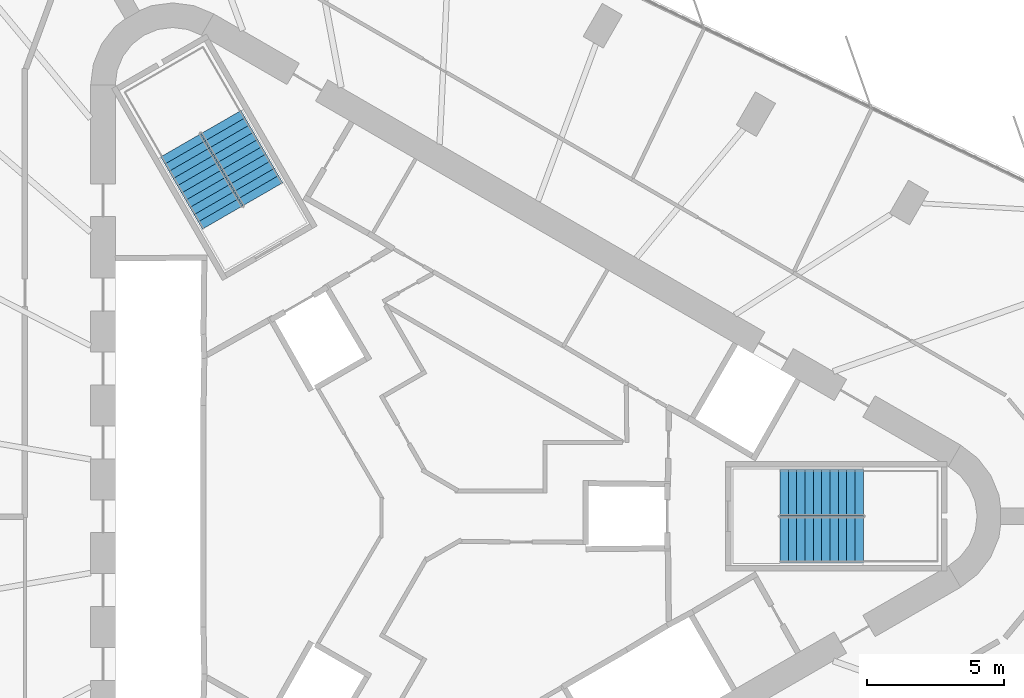
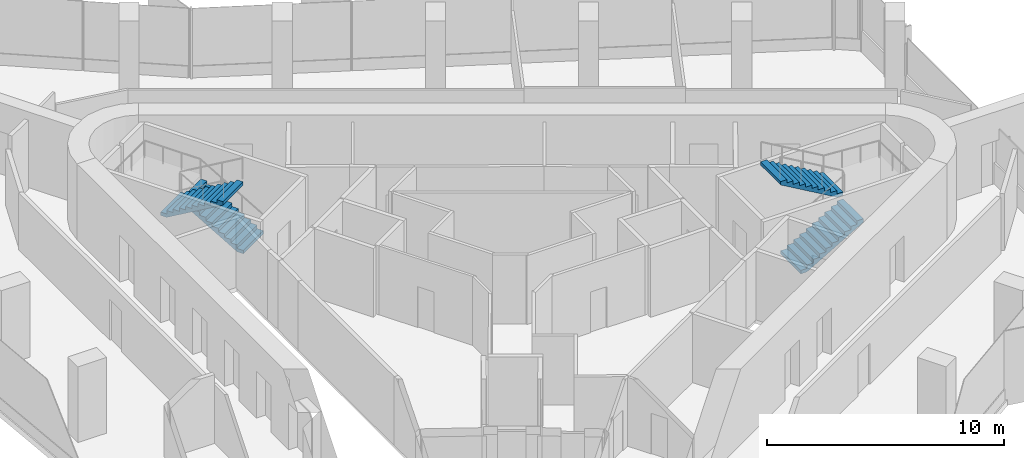
# One storey, part 11 of 12: 4 stair flights, 2 elements without a shape of their own.
"""IFC4 building model written with IfcOpenShell, lengths in metres."""

from ifc_helpers import new_model, si_unit, direction, frame, origin, place, context, subcontext, project, spatial, polyline, outline, extrude, material, type_object, element, aggregate, save


model = new_model("IFC4")

# Units and contexts
model_context = context("Model", 3, precision=1e-05, world=origin(), true_north=direction((0.0, 1.0)))
body_context = subcontext(model_context, "Body", "Model", "MODEL_VIEW")
ifc_project = project(units=[si_unit("LENGTHUNIT", "METRE"), si_unit("AREAUNIT", "SQUARE_METRE"), si_unit("VOLUMEUNIT", "CUBIC_METRE"), si_unit("PLANEANGLEUNIT", "RADIAN"), si_unit("MASSUNIT", "GRAM", prefix="KILO")], contexts=[model_context])

# Site, building, storey
site_placement = place(None, origin())
site = spatial("IfcSite", under=ifc_project, at=site_placement, CompositionType="ELEMENT")
building_placement = place(site_placement, origin())
building = spatial("IfcBuilding", under=site, at=building_placement, Name="Tanit Gate Tower", CompositionType="ELEMENT")
storey_placement = place(building_placement, frame((0.0, 0.0, 388.39990234375)))
storey = spatial("IfcBuildingStorey", under=building, at=storey_placement, Name="L89", CompositionType="ELEMENT", Elevation=388.39990234375)

# Stair, stair flights
ifc_material_1 = material(Name="Concrete C40/50", Category="concrete")
stair_type = type_object("IfcStairType", Name="INT-STAIR-EXIT", PredefinedType="HALF_TURN_STAIR", material=ifc_material_1)
stair_1_placement = place(storey_placement, origin())
stair_1 = element("IfcStair", 1, at=stair_1_placement, inside=storey, type_object=stair_type, Name="L89 STAIR S1", PredefinedType="HALF_TURN_STAIR")
ifc_material_2 = material(Name="Concrete C40/50", Category="concrete")
stair_flight_type = type_object("IfcStairFlightType", Name="INT-STAIR-FLIGHT", PredefinedType="STRAIGHT", material=ifc_material_2)
stair_flight_1_placement = place(storey_placement, frame((13.094970703125, -0.8525390625, 0.0), z_axis=(0.0, 0.0, 1.0), x_axis=(1.0, 0.0, 0.0)))
stair_flight_1 = element("IfcStairFlight", 2, at=stair_flight_1_placement, type_object=stair_flight_type, Name="S1 flight 1", NumberOfRisers=11, NumberOfTreads=10, PredefinedType="STRAIGHT", RiserHeight=0.177272727, TreadLength=0.3051, context=body_context, shape_type="SweptSolid", body=[
    extrude(outline(polyline([(0.0, 0.0), (0.0, 0.17724609375), (0.30517578125, 0.17724609375), (0.30517578125, 0.3544921875), (0.610107421875, 0.3544921875), (0.610107421875, 0.53173828125), (0.915283203125, 0.53173828125), (0.915283203125, 0.708984375), (1.220458984375, 0.708984375), (1.220458984375, 0.886474609375), (1.525390625, 0.886474609375), (1.525390625, 1.063720703125), (1.83056640625, 1.063720703125), (1.83056640625, 1.240966796875), (2.1357421875, 1.240966796875), (2.1357421875, 1.418212890625), (2.44091796875, 1.418212890625), (2.44091796875, 1.595458984375), (2.745849609375, 1.595458984375), (2.745849609375, 1.772705078125), (3.051025390625, 1.772705078125), (3.051025390625, 1.949951171875), (3.051025390625, 1.599365234375), (0.29833984375, 0.0), (0.0, 0.0)])), frame((0.0, 0.84765625, 0.0), z_axis=(0.0, -1.0, 0.0), x_axis=(1.0, 0.0, 0.0)), (0.0, 0.0, 1.0), 1.695068359375),
])
stair_flight_2_placement = place(storey_placement, frame((16.14599609375, 0.8525390625, 1.9501953125), z_axis=(0.0, 0.0, 1.0), x_axis=(-1.0, 0.0, 0.0)))
stair_flight_2 = element("IfcStairFlight", 3, at=stair_flight_2_placement, type_object=stair_flight_type, Name="S1 flight 2", NumberOfRisers=11, NumberOfTreads=10, PredefinedType="STRAIGHT", RiserHeight=0.177272727, TreadLength=0.3051, context=body_context, shape_type="SweptSolid", body=[
    extrude(outline(polyline([(0.0, 0.0), (0.0, 0.17724609375), (0.30517578125, 0.17724609375), (0.30517578125, 0.3544921875), (0.610107421875, 0.3544921875), (0.610107421875, 0.53173828125), (0.915283203125, 0.53173828125), (0.915283203125, 0.708984375), (1.220458984375, 0.708984375), (1.220458984375, 0.886474609375), (1.525390625, 0.886474609375), (1.525390625, 1.063720703125), (1.83056640625, 1.063720703125), (1.83056640625, 1.240966796875), (2.1357421875, 1.240966796875), (2.1357421875, 1.418212890625), (2.44091796875, 1.418212890625), (2.44091796875, 1.595458984375), (2.745849609375, 1.595458984375), (2.745849609375, 1.772705078125), (3.051025390625, 1.772705078125), (3.051025390625, 1.949951171875), (3.051025390625, 1.599365234375), (0.29833984375, 0.0), (0.0, 0.0)])), frame((0.0, 0.84765625, 0.0), z_axis=(0.0, -1.0, 0.0), x_axis=(1.0, 0.0, 0.0)), (0.0, 0.0, 1.0), 1.695068359375),
])
aggregate(stair_1, [stair_flight_1, stair_flight_2])

stair_2_placement = place(storey_placement, origin())
stair_2 = element("IfcStair", 4, at=stair_2_placement, inside=storey, type_object=stair_type, Name="L89 STAIR S2", PredefinedType="HALF_TURN_STAIR")
stair_flight_3_placement = place(storey_placement, frame((-5.808349609375, 11.766357421875, 0.0), z_axis=(0.0, 0.0, 1.0), x_axis=(-0.5, 0.866025403784, 0.0)))
stair_flight_3 = element("IfcStairFlight", 5, at=stair_flight_3_placement, type_object=stair_flight_type, Name="S2 flight 1", NumberOfRisers=11, NumberOfTreads=10, PredefinedType="STRAIGHT", RiserHeight=0.177272727, TreadLength=0.30492, context=body_context, shape_type="SweptSolid", body=[
    extrude(outline(polyline([(0.0, 0.0), (0.0, 0.17724609375), (0.304931640625, 0.17724609375), (0.304931640625, 0.3544921875), (0.60986328125, 0.3544921875), (0.60986328125, 0.53173828125), (0.914794921875, 0.53173828125), (0.914794921875, 0.708984375), (1.2197265625, 0.708984375), (1.2197265625, 0.886474609375), (1.524658203125, 0.886474609375), (1.524658203125, 1.063720703125), (1.82958984375, 1.063720703125), (1.82958984375, 1.240966796875), (2.134521484375, 1.240966796875), (2.134521484375, 1.418212890625), (2.439453125, 1.418212890625), (2.439453125, 1.595458984375), (2.744384765625, 1.595458984375), (2.744384765625, 1.772705078125), (3.04931640625, 1.772705078125), (3.04931640625, 1.949951171875), (3.04931640625, 1.599365234375), (0.29833984375, 0.0), (0.0, 0.0)])), frame((0.0, 0.84716796875, 0.0), z_axis=(0.0, -1.0, 0.0), x_axis=(1.0, 0.0, 0.0)), (0.0, 0.0, 1.0), 1.694091796875),
])
stair_flight_4_placement = place(storey_placement, frame((-8.810302734375, 13.553955078125, 1.9501953125), z_axis=(0.0, 0.0, 1.0), x_axis=(0.5, -0.866025403784, 0.0)))
stair_flight_4 = element("IfcStairFlight", 6, at=stair_flight_4_placement, type_object=stair_flight_type, Name="S2 flight 2", NumberOfRisers=11, NumberOfTreads=10, PredefinedType="STRAIGHT", RiserHeight=0.177272727, TreadLength=0.30492, context=body_context, shape_type="SweptSolid", body=[
    extrude(outline(polyline([(0.0, 0.0), (0.0, 0.17724609375), (0.304931640625, 0.17724609375), (0.304931640625, 0.3544921875), (0.60986328125, 0.3544921875), (0.60986328125, 0.53173828125), (0.914794921875, 0.53173828125), (0.914794921875, 0.708984375), (1.2197265625, 0.708984375), (1.2197265625, 0.886474609375), (1.524658203125, 0.886474609375), (1.524658203125, 1.063720703125), (1.82958984375, 1.063720703125), (1.82958984375, 1.240966796875), (2.134521484375, 1.240966796875), (2.134521484375, 1.418212890625), (2.439453125, 1.418212890625), (2.439453125, 1.595458984375), (2.744384765625, 1.595458984375), (2.744384765625, 1.772705078125), (3.04931640625, 1.772705078125), (3.04931640625, 1.949951171875), (3.04931640625, 1.599365234375), (0.29833984375, 0.0), (0.0, 0.0)])), frame((0.0, 0.84716796875, 0.0), z_axis=(0.0, -1.0, 0.0), x_axis=(1.0, 0.0, 0.0)), (0.0, 0.0, 1.0), 1.694091796875),
])
aggregate(stair_2, [stair_flight_3, stair_flight_4])

save(model, "model.ifc")
